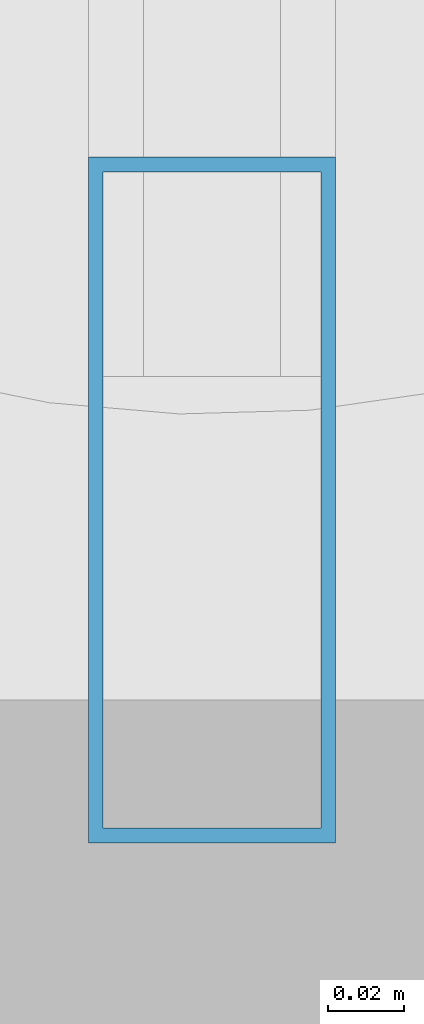
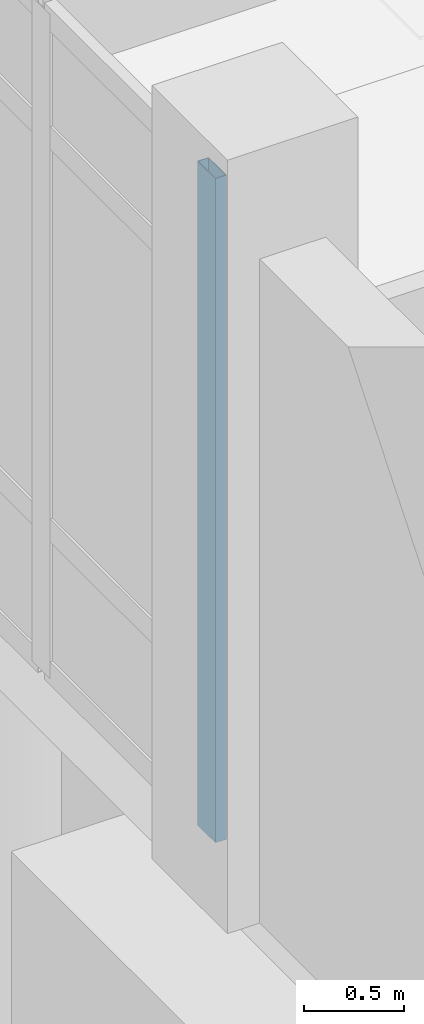
# One storey, part 24 of 173: 1 member, 1 element without a shape of its own.
"""IFC4 building model written with IfcOpenShell, lengths in metres."""

from ifc_helpers import new_model, si_unit, direction, frame, origin, origin_2d, place, context, subcontext, project, spatial, hollow_rectangle, extrude, material, layer, layer_set, material_profile, profile_set, type_object, element, aggregate, save


model = new_model("IFC4")

# Units and contexts
model_context = context("Model", 3, precision=1e-05, world=origin(), true_north=direction((0.0, 1.0)))
body_context = subcontext(model_context, "Body", "Model", "MODEL_VIEW")
ifc_project = project(units=[si_unit("LENGTHUNIT", "METRE"), si_unit("AREAUNIT", "SQUARE_METRE"), si_unit("VOLUMEUNIT", "CUBIC_METRE"), si_unit("PLANEANGLEUNIT", "RADIAN"), si_unit("MASSUNIT", "GRAM", prefix="KILO")], contexts=[model_context])

# Site, building, storey
site_placement = place(None, origin())
site = spatial("IfcSite", under=ifc_project, at=site_placement, CompositionType="ELEMENT")
building_placement = place(site_placement, origin())
building = spatial("IfcBuilding", under=site, at=building_placement, Name="Mawjan Specialist Oncology Clinic", CompositionType="ELEMENT")
storey_placement = place(building_placement, origin())
storey = spatial("IfcBuildingStorey", under=building, at=storey_placement, Name="L00", CompositionType="ELEMENT", Elevation=0.0)

# Curtain wall, member
ifc_material_1 = material(Name="Unitised spectrally selective aluminium curtain wall", Category="aluminium")
ifc_layer = layer(ifc_material_1, 0.179931640625, Name="Unitised spectrally selective aluminium curtain wall", Category="aluminium")
ifc_layer_set = layer_set([ifc_layer], Name="Unitised spectrally selective aluminium curtain wall")
curtain_wall_type = type_object("IfcCurtainWallType", Name="CW-02", PredefinedType="NOTDEFINED", material=ifc_layer_set)
curtain_wall_placement = place(storey_placement, origin())
curtain_wall = element("IfcCurtainWall", 1, at=curtain_wall_placement, inside=storey, type_object=curtain_wall_type, Name="L00 Unitised Curtain Wall CW-L00-003", PredefinedType="NOTDEFINED")
ifc_material_2 = material(Name="Thermally broken aluminium 6063-T6", Category="aluminium")
ifc_material_profile = material_profile(ifc_material_2, hollow_rectangle(XDim=0.06494140625, YDim=0.179931640625, WallThickness=0.00390625, at=origin_2d()), Name="ALU MULLION 180x65x4", Category="aluminium")
ifc_profile_set = profile_set([ifc_material_profile], Name="Thermally broken aluminium 6063-T6")
member_type = type_object("IfcMemberType", Name="CW-M180", PredefinedType="MULLION", material=ifc_profile_set)
member_placement = place(storey_placement, frame((0.0, 16.2275390625, 0.0), z_axis=(0.0, 0.0, 1.0), x_axis=(-1.0, 0.0, 0.0)))
member = element("IfcMember", 2, at=member_placement, type_object=member_type, Name="CW-02 mullion 1", PredefinedType="MULLION", context=body_context, shape_type="SweptSolid", body=[
    extrude(hollow_rectangle(XDim=0.06494140625, YDim=0.179931640625, WallThickness=0.00390625, at=origin_2d()), origin(), (0.0, 0.0, 1.0), 4.034912109375),
])
aggregate(curtain_wall, [member])

save(model, "model.ifc")
